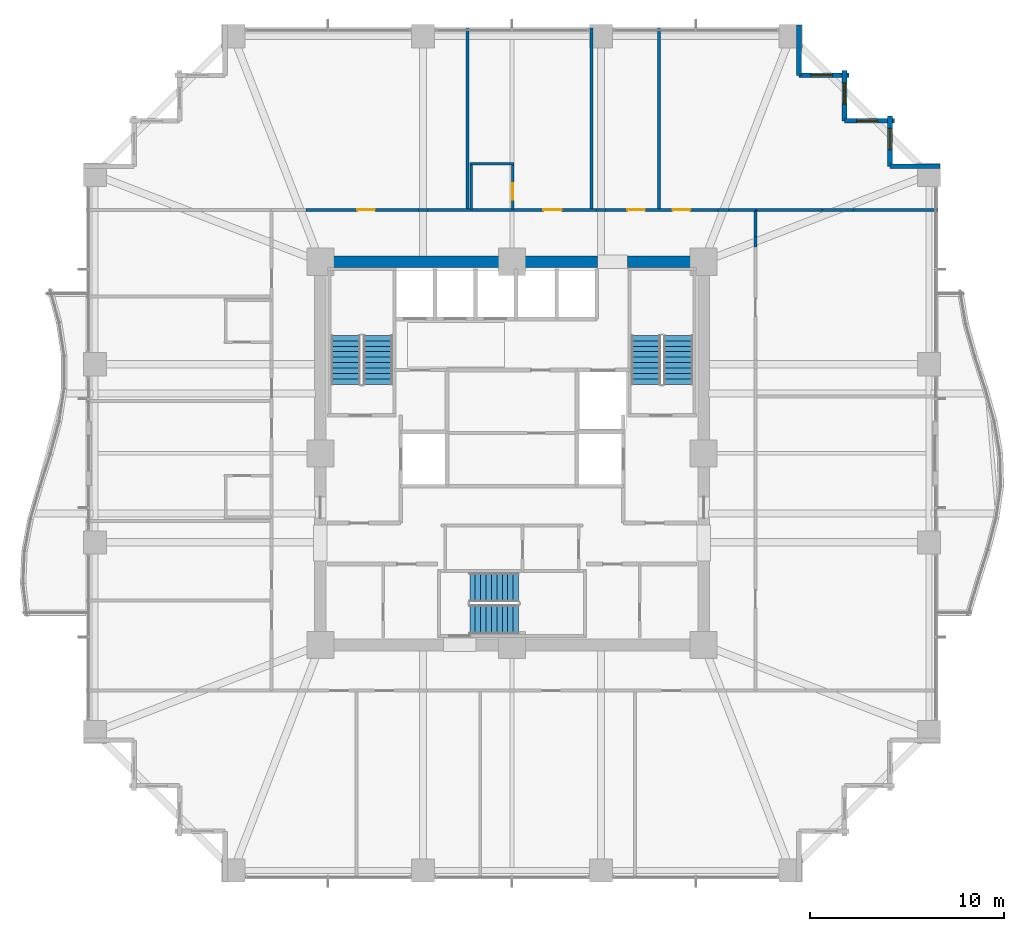
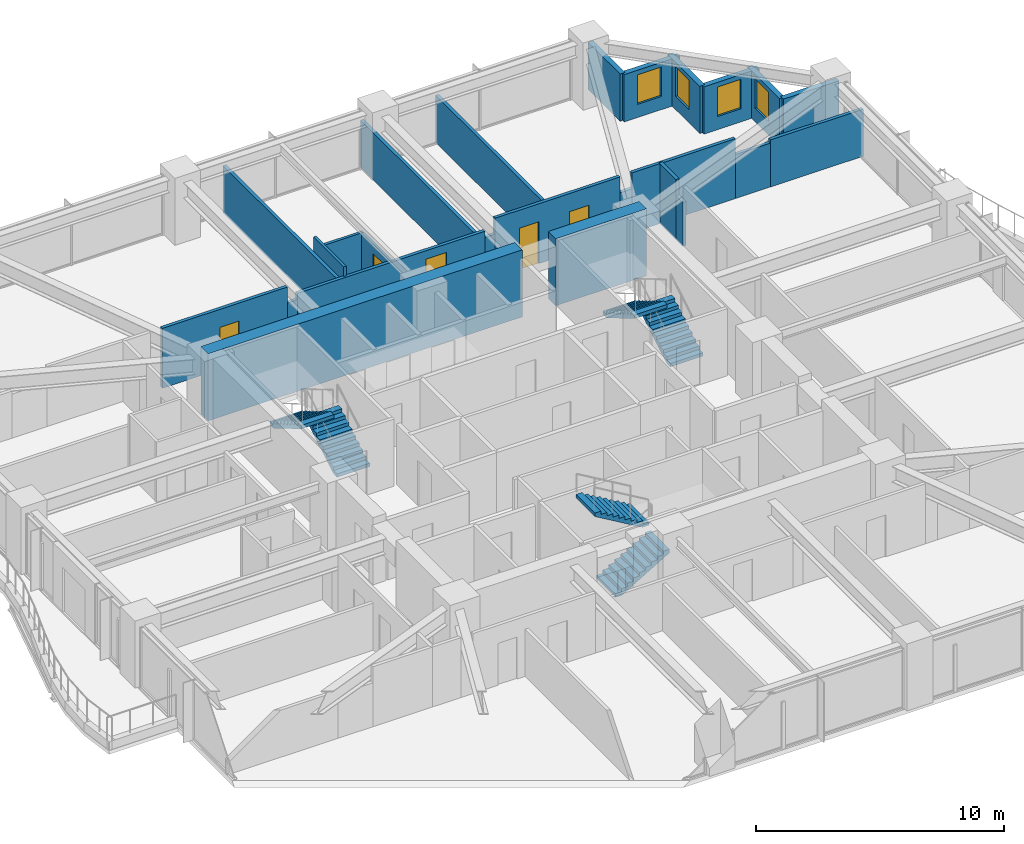
# One storey, part 36 of 38: 26 walls, 6 stair flights, 5 doors, 4 windows, 9 openings, 3 elements without a shape of their own.
"""IFC4 building model written with IfcOpenShell, lengths in metres."""

from ifc_helpers import new_model, si_unit, direction, frame, frame_2d, origin, place, context, subcontext, project, spatial, polyline, rectangle, outline, extrude, material, layer, layer_set, type_object, element, fill, aggregate, save


model = new_model("IFC4")

# Units and contexts
model_context = context("Model", 3, precision=1e-05, world=origin(), true_north=direction((0.0, 1.0)))
body_context = subcontext(model_context, "Body", "Model", "MODEL_VIEW")
ifc_project = project(units=[si_unit("LENGTHUNIT", "METRE"), si_unit("AREAUNIT", "SQUARE_METRE"), si_unit("VOLUMEUNIT", "CUBIC_METRE"), si_unit("PLANEANGLEUNIT", "RADIAN"), si_unit("MASSUNIT", "GRAM", prefix="KILO")], contexts=[model_context])

# Site, building, storey
site_placement = place(None, origin())
site = spatial("IfcSite", under=ifc_project, at=site_placement, CompositionType="ELEMENT")
building_placement = place(site_placement, origin())
building = spatial("IfcBuilding", under=site, at=building_placement, Name="Kolvaren Belvedere", CompositionType="ELEMENT")
storey_placement = place(building_placement, frame((0.0, 0.0, 60.10009765625)))
storey = spatial("IfcBuildingStorey", under=building, at=storey_placement, Name="L17", CompositionType="ELEMENT", Elevation=60.10009765625)

# Walls
ifc_material_1 = material(Name="Concrete C60/75", Category="concrete")
ifc_layer_1 = layer(ifc_material_1, 0.60009765625)
ifc_layer_set_1 = layer_set([ifc_layer_1], Name="Concrete C60/75")
wall_type_1 = type_object("IfcWallType", Name="CW-CORE-600", PredefinedType="SHEAR", material=ifc_layer_set_1)
wall_1_placement = place(storey_placement, frame((-10.199951171875, 9.89990234375, 0.0), z_axis=(0.0, 0.0, 1.0), x_axis=(1.0, 0.0, 0.0)))
element("IfcWall", 1, at=wall_1_placement, inside=storey, type_object=wall_type_1, Name="L17 North Core Shear Wall 1", PredefinedType="SHEAR", context=body_context, shape_type="SweptSolid", body=[
    extrude(rectangle(XDim=14.619873046875, YDim=0.60009765625, at=frame_2d((7.31005859375, 0.0))), origin(), (0.0, 0.0, 1.0), 3.2998046875),
])
wall_2_placement = place(storey_placement, frame((5.97998046875, 9.89990234375, 0.0), z_axis=(0.0, 0.0, 1.0), x_axis=(1.0, 0.0, 0.0)))
element("IfcWall", 2, at=wall_2_placement, inside=storey, type_object=wall_type_1, Name="L17 North Core Shear Wall 2", PredefinedType="SHEAR", context=body_context, shape_type="SweptSolid", body=[
    extrude(rectangle(XDim=4.219970703125, YDim=0.60009765625, at=frame_2d((2.10986328125, 0.0))), origin(), (0.0, 0.0, 1.0), 3.2998046875),
])

# Wall, opening, door
ifc_material_2 = material(Name="Gypsum fire-rated partition assembly", Category="gypsum")
ifc_layer_2 = layer(ifc_material_2, 0.14990234375)
ifc_layer_set_2 = layer_set([ifc_layer_2], Name="Gypsum fire-rated partition assembly")
wall_type_2 = type_object("IfcWallType", Name="WL-CORR-150", PredefinedType="PARTITIONING", material=ifc_layer_set_2)
wall_3_placement = place(storey_placement, frame((-10.654541015625, 12.580078125, 0.0), z_axis=(0.0, 0.0, 1.0), x_axis=(1.0, 0.0, 0.0)))
wall_3 = element("IfcWall", 3, at=wall_3_placement, inside=storey, type_object=wall_type_2, Name="L17 North Corridor Wall", PredefinedType="PARTITIONING", context=body_context, shape_type="SweptSolid", body=[
    extrude(rectangle(XDim=5.822021484375, YDim=0.14990234375, at=frame_2d((2.9111328125, 0.0))), origin(), (0.0, 0.0, 1.0), 2.949951171875),
])
opening_1_placement = place(wall_3_placement, frame((2.66943359375, 0.0, 0.0)))
opening_1 = element("IfcOpeningElement", 4, at=opening_1_placement, cuts=wall_3, Name="Opening D-INT90", PredefinedType="OPENING", context=body_context, shape_type="SweptSolid", body=[
    extrude(rectangle(XDim=0.89990234375, YDim=2.06005859375, at=frame_2d((0.449951171875, 1.030029296875))), frame((0.0, 0.0849609375, 0.0), z_axis=(0.0, -1.0, 0.0), x_axis=(1.0, 0.0, 0.0)), (0.0, 0.0, 1.0), 0.169921875),
])
ifc_material_3 = material(Name="Stained Pacific white oak", Category="timber")
door_type_1 = type_object("IfcDoorType", Name="DR-INT-900", OperationType="NOTDEFINED", PredefinedType="DOOR", material=ifc_material_3)
door_1_placement = place(opening_1_placement, origin())
door_1 = element("IfcDoor", 5, at=door_1_placement, inside=storey, type_object=door_type_1, Name="L17 Lounge 1712 Door", OperationType="SINGLE_SWING_RIGHT", OverallHeight=2.06005859375, OverallWidth=0.89990234375, PredefinedType="DOOR", context=body_context, shape_type="SweptSolid", body=[
    extrude(rectangle(XDim=0.89990234375, YDim=2.06005859375, at=frame_2d((0.449951171875, 1.030029296875))), frame((0.0, 0.02490234375, 0.0), z_axis=(0.0, -1.0, 0.0), x_axis=(1.0, 0.0, 0.0)), (0.0, 0.0, 1.0), 0.050048828125),
])
fill(opening_1, door_1)

# Wall
wall_4_placement = place(storey_placement, frame((-4.83251953125, 12.580078125, 0.0), z_axis=(0.0, 0.0, 1.0), x_axis=(1.0, 0.0, 0.0)))
element("IfcWall", 6, at=wall_4_placement, inside=storey, type_object=wall_type_2, Name="L17 North Corridor Wall", PredefinedType="PARTITIONING", context=body_context, shape_type="SweptSolid", body=[
    extrude(rectangle(XDim=0.465087890625, YDim=0.14990234375, at=frame_2d((0.232421875, 0.0))), origin(), (0.0, 0.0, 1.0), 2.161865234375),
])

# Wall, opening, door
wall_5_placement = place(storey_placement, frame((-4.367431640625, 12.580078125, 0.0), z_axis=(0.0, 0.0, 1.0), x_axis=(1.0, 0.0, 0.0)))
wall_5 = element("IfcWall", 7, at=wall_5_placement, inside=storey, type_object=wall_type_2, Name="L17 North Corridor Wall", PredefinedType="PARTITIONING", context=body_context, shape_type="SweptSolid", body=[
    extrude(rectangle(XDim=8.73486328125, YDim=0.14990234375, at=frame_2d((4.367431640625, 0.0))), origin(), (0.0, 0.0, 1.0), 2.474853515625),
])
opening_2_placement = place(wall_5_placement, frame((5.985107421875, 0.0, 0.0)))
opening_2 = element("IfcOpeningElement", 8, at=opening_2_placement, cuts=wall_5, Name="Opening D-FD60", PredefinedType="OPENING", context=body_context, shape_type="SweptSolid", body=[
    extrude(rectangle(XDim=0.949951171875, YDim=2.06005859375, at=frame_2d((0.47509765625, 1.030029296875))), frame((0.0, 0.0849609375, 0.0), z_axis=(0.0, -1.0, 0.0), x_axis=(1.0, 0.0, 0.0)), (0.0, 0.0, 1.0), 0.169921875),
])
ifc_material_4 = material(Name="Acoustic white-oak fire door leaf", Category="timber")
door_type_2 = type_object("IfcDoorType", Name="DR-FD60-950", OperationType="NOTDEFINED", PredefinedType="DOOR", material=ifc_material_4)
door_2_placement = place(opening_2_placement, origin())
door_2 = element("IfcDoor", 9, at=door_2_placement, inside=storey, type_object=door_type_2, Name="L17 Twin Guest Room 1713 Entry Door", OperationType="SINGLE_SWING_RIGHT", OverallHeight=2.06005859375, OverallWidth=0.949951171875, PredefinedType="DOOR", context=body_context, shape_type="SweptSolid", body=[
    extrude(rectangle(XDim=0.949951171875, YDim=2.06005859375, at=frame_2d((0.47509765625, 1.030029296875))), frame((0.0, 0.02490234375, 0.0), z_axis=(0.0, -1.0, 0.0), x_axis=(1.0, 0.0, 0.0)), (0.0, 0.0, 1.0), 0.050048828125),
])
fill(opening_2, door_2)

# Wall
wall_6_placement = place(storey_placement, frame((4.367431640625, 12.580078125, 0.0), z_axis=(0.0, 0.0, 1.0), x_axis=(1.0, 0.0, 0.0)))
element("IfcWall", 10, at=wall_6_placement, inside=storey, type_object=wall_type_2, Name="L17 North Corridor Wall", PredefinedType="PARTITIONING", context=body_context, shape_type="SweptSolid", body=[
    extrude(rectangle(XDim=0.465087890625, YDim=0.14990234375, at=frame_2d((0.232421875, 0.0))), origin(), (0.0, 0.0, 1.0), 2.161865234375),
])

# Wall, openings, doors
wall_7_placement = place(storey_placement, frame((4.83251953125, 12.580078125, 0.0), z_axis=(0.0, 0.0, 1.0), x_axis=(1.0, 0.0, 0.0)))
wall_7 = element("IfcWall", 11, at=wall_7_placement, inside=storey, type_object=wall_type_2, Name="L17 North Corridor Wall", PredefinedType="PARTITIONING", context=body_context, shape_type="SweptSolid", body=[
    extrude(rectangle(XDim=5.822021484375, YDim=0.14990234375, at=frame_2d((2.9111328125, 0.0))), origin(), (0.0, 0.0, 1.0), 2.949951171875),
])
opening_3_placement = place(wall_7_placement, frame((1.133544921875, 0.0, 0.0)))
opening_3 = element("IfcOpeningElement", 12, at=opening_3_placement, cuts=wall_7, Name="Opening D-INT90", PredefinedType="OPENING", context=body_context, shape_type="SweptSolid", body=[
    extrude(rectangle(XDim=0.89990234375, YDim=2.06005859375, at=frame_2d((0.449951171875, 1.030029296875))), frame((0.0, 0.0849609375, 0.0), z_axis=(0.0, -1.0, 0.0), x_axis=(1.0, 0.0, 0.0)), (0.0, 0.0, 1.0), 0.169921875),
])
opening_4_placement = place(wall_7_placement, frame((3.468505859375, 0.0, 0.0)))
opening_4 = element("IfcOpeningElement", 13, at=opening_4_placement, cuts=wall_7, Name="Opening D-INT90", PredefinedType="OPENING", context=body_context, shape_type="SweptSolid", body=[
    extrude(rectangle(XDim=0.89990234375, YDim=2.06005859375, at=frame_2d((0.449951171875, 1.030029296875))), frame((0.0, 0.0849609375, 0.0), z_axis=(0.0, -1.0, 0.0), x_axis=(1.0, 0.0, 0.0)), (0.0, 0.0, 1.0), 0.169921875),
])
door_3_placement = place(opening_3_placement, origin())
door_3 = element("IfcDoor", 14, at=door_3_placement, inside=storey, type_object=door_type_1, Name="L17 Lounge 1714 Door", OperationType="SINGLE_SWING_LEFT", OverallHeight=2.06005859375, OverallWidth=0.89990234375, PredefinedType="DOOR", context=body_context, shape_type="SweptSolid", body=[
    extrude(rectangle(XDim=0.89990234375, YDim=2.06005859375, at=frame_2d((0.449951171875, 1.030029296875))), frame((0.0, 0.02490234375, 0.0), z_axis=(0.0, -1.0, 0.0), x_axis=(1.0, 0.0, 0.0)), (0.0, 0.0, 1.0), 0.050048828125),
])
fill(opening_3, door_3)
door_4_placement = place(opening_4_placement, origin())
door_4 = element("IfcDoor", 15, at=door_4_placement, inside=storey, type_object=door_type_1, Name="L17 Lounge 1715 Door", OperationType="SINGLE_SWING_RIGHT", OverallHeight=2.06005859375, OverallWidth=0.89990234375, PredefinedType="DOOR", context=body_context, shape_type="SweptSolid", body=[
    extrude(rectangle(XDim=0.89990234375, YDim=2.06005859375, at=frame_2d((0.449951171875, 1.030029296875))), frame((0.0, 0.02490234375, 0.0), z_axis=(0.0, -1.0, 0.0), x_axis=(1.0, 0.0, 0.0)), (0.0, 0.0, 1.0), 0.050048828125),
])
fill(opening_4, door_4)

# Walls
wall_8_placement = place(storey_placement, frame((10.654541015625, 12.580078125, 0.0), z_axis=(0.0, 0.0, 1.0), x_axis=(1.0, 0.0, 0.0)))
element("IfcWall", 16, at=wall_8_placement, inside=storey, type_object=wall_type_2, Name="L17 North Corridor Wall", PredefinedType="PARTITIONING", context=body_context, shape_type="SweptSolid", body=[
    extrude(rectangle(XDim=0.561279296875, YDim=0.14990234375, at=frame_2d((0.28076171875, 0.0))), origin(), (0.0, 0.0, 1.0), 2.161865234375),
])
wall_9_placement = place(storey_placement, frame((11.2158203125, 12.580078125, 0.0), z_axis=(0.0, 0.0, 1.0), x_axis=(1.0, 0.0, 0.0)))
element("IfcWall", 17, at=wall_9_placement, inside=storey, type_object=wall_type_2, Name="L17 North Corridor Wall", PredefinedType="PARTITIONING", context=body_context, shape_type="SweptSolid", body=[
    extrude(rectangle(XDim=1.3642578125, YDim=0.14990234375, at=frame_2d((0.68212890625, 0.0))), origin(), (0.0, 0.0, 1.0), 2.949951171875),
])
wall_10_placement = place(storey_placement, frame((12.580078125, 10.654541015625, 0.0), z_axis=(0.0, 0.0, 1.0), x_axis=(0.0, 1.0, 0.0)))
element("IfcWall", 18, at=wall_10_placement, inside=storey, type_object=wall_type_2, Name="L17 East Corridor Wall", PredefinedType="PARTITIONING", context=body_context, shape_type="SweptSolid", body=[
    extrude(rectangle(XDim=0.561279296875, YDim=0.14990234375, at=frame_2d((0.28076171875, 0.0))), origin(), (0.0, 0.0, 1.0), 2.161865234375),
])
wall_11_placement = place(storey_placement, frame((12.580078125, 11.2158203125, 0.0), z_axis=(0.0, 0.0, 1.0), x_axis=(0.0, 1.0, 0.0)))
element("IfcWall", 19, at=wall_11_placement, inside=storey, type_object=wall_type_2, Name="L17 East Corridor Wall", PredefinedType="PARTITIONING", context=body_context, shape_type="SweptSolid", body=[
    extrude(rectangle(XDim=1.3642578125, YDim=0.14990234375, at=frame_2d((0.68212890625, 0.0))), origin(), (0.0, 0.0, 1.0), 2.949951171875),
])
ifc_material_5 = material(Name="Insulated pale-metal facade wall assembly", Category="aluminium")
ifc_layer_3 = layer(ifc_material_5, 0.239990234375)
ifc_layer_set_3 = layer_set([ifc_layer_3], Name="Insulated pale-metal facade wall assembly")
wall_type_3 = type_object("IfcWallType", Name="WL-EXT-240", PredefinedType="STANDARD", material=ifc_layer_set_3)
wall_12_placement = place(storey_placement, frame((19.530029296875, 14.830078125, 0.0), z_axis=(0.0, 0.0, 1.0), x_axis=(1.0, 0.0, 0.0)))
element("IfcWall", 20, at=wall_12_placement, inside=storey, type_object=wall_type_3, Name="L17 Serrated Corner Facade Wall 9", PredefinedType="STANDARD", context=body_context, shape_type="SweptSolid", body=[
    extrude(rectangle(XDim=2.590087890625, YDim=0.239990234375, at=frame_2d((1.294921875, 0.0))), origin(), (0.0, 0.0, 1.0), 2.328857421875),
])

# Wall, opening, window
wall_13_placement = place(storey_placement, frame((19.530029296875, 17.419921875, 0.0), z_axis=(0.0, 0.0, 1.0), x_axis=(0.0, -1.0, 0.0)))
wall_13 = element("IfcWall", 21, at=wall_13_placement, inside=storey, type_object=wall_type_3, Name="L17 Serrated Corner Facade Wall 10", PredefinedType="STANDARD", context=body_context, shape_type="SweptSolid", body=[
    extrude(rectangle(XDim=2.58984375, YDim=0.239990234375, at=frame_2d((1.294921875, 0.0))), origin(), (0.0, 0.0, 1.0), 2.328857421875),
])
opening_5_placement = place(wall_13_placement, frame((0.625, 0.0, 0.64990234375)))
opening_5 = element("IfcOpeningElement", 22, at=opening_5_placement, cuts=wall_13, Name="Opening W-1100", PredefinedType="OPENING", context=body_context, shape_type="SweptSolid", body=[
    extrude(rectangle(XDim=1.10009765625, YDim=1.449951171875, at=frame_2d((0.550048828125, 0.72509765625))), frame((0.0, 0.1298828125, 0.0), z_axis=(0.0, -1.0, 0.0), x_axis=(1.0, 0.0, 0.0)), (0.0, 0.0, 1.0), 0.260009765625),
])
ifc_material_6 = material(Name="Low-iron triple insulated glass", Category="glass")
window_type = type_object("IfcWindowType", Name="WN-CORN-1100", PartitioningType="SINGLE_PANEL", PredefinedType="WINDOW", material=ifc_material_6)
window_1_placement = place(opening_5_placement, origin())
window_1 = element("IfcWindow", 23, at=window_1_placement, inside=storey, type_object=window_type, Name="L17 Serrated Corner Vision Window 10", OverallHeight=1.449951171875, OverallWidth=1.10009765625, PartitioningType="SINGLE_PANEL", PredefinedType="WINDOW", context=body_context, shape_type="SweptSolid", body=[
    extrude(rectangle(XDim=1.10009765625, YDim=1.449951171875, at=frame_2d((0.550048828125, 0.72509765625))), frame((0.0, 0.030029296875, 0.0), z_axis=(0.0, -1.0, 0.0), x_axis=(1.0, 0.0, 0.0)), (0.0, 0.0, 1.0), 0.06005859375),
])
fill(opening_5, window_1)

wall_14_placement = place(storey_placement, frame((17.179931640625, 17.179931640625, 0.0), z_axis=(0.0, 0.0, 1.0), x_axis=(1.0, 0.0, 0.0)))
wall_14 = element("IfcWall", 24, at=wall_14_placement, inside=storey, type_object=wall_type_3, Name="L17 Serrated Corner Facade Wall 11", PredefinedType="STANDARD", context=body_context, shape_type="SweptSolid", body=[
    extrude(rectangle(XDim=2.590087890625, YDim=0.239990234375, at=frame_2d((1.294921875, 0.0))), origin(), (0.0, 0.0, 1.0), 2.328857421875),
])
opening_6_placement = place(wall_14_placement, frame((0.625, 0.0, 0.64990234375)))
opening_6 = element("IfcOpeningElement", 25, at=opening_6_placement, cuts=wall_14, Name="Opening W-1100", PredefinedType="OPENING", context=body_context, shape_type="SweptSolid", body=[
    extrude(rectangle(XDim=1.10009765625, YDim=1.449951171875, at=frame_2d((0.550048828125, 0.72509765625))), frame((0.0, 0.1298828125, 0.0), z_axis=(0.0, -1.0, 0.0), x_axis=(1.0, 0.0, 0.0)), (0.0, 0.0, 1.0), 0.260009765625),
])
window_2_placement = place(opening_6_placement, origin())
window_2 = element("IfcWindow", 26, at=window_2_placement, inside=storey, type_object=window_type, Name="L17 Serrated Corner Vision Window 11", OverallHeight=1.449951171875, OverallWidth=1.10009765625, PartitioningType="SINGLE_PANEL", PredefinedType="WINDOW", context=body_context, shape_type="SweptSolid", body=[
    extrude(rectangle(XDim=1.10009765625, YDim=1.449951171875, at=frame_2d((0.550048828125, 0.72509765625))), frame((0.0, 0.030029296875, 0.0), z_axis=(0.0, -1.0, 0.0), x_axis=(1.0, 0.0, 0.0)), (0.0, 0.0, 1.0), 0.06005859375),
])
fill(opening_6, window_2)

wall_15_placement = place(storey_placement, frame((17.179931640625, 19.77001953125, 0.0), z_axis=(0.0, 0.0, 1.0), x_axis=(0.0, -1.0, 0.0)))
wall_15 = element("IfcWall", 27, at=wall_15_placement, inside=storey, type_object=wall_type_3, Name="L17 Serrated Corner Facade Wall 12", PredefinedType="STANDARD", context=body_context, shape_type="SweptSolid", body=[
    extrude(rectangle(XDim=2.590087890625, YDim=0.239990234375, at=frame_2d((1.294921875, 0.0))), origin(), (0.0, 0.0, 1.0), 2.328857421875),
])
opening_7_placement = place(wall_15_placement, frame((0.625, 0.0, 0.64990234375)))
opening_7 = element("IfcOpeningElement", 28, at=opening_7_placement, cuts=wall_15, Name="Opening W-1100", PredefinedType="OPENING", context=body_context, shape_type="SweptSolid", body=[
    extrude(rectangle(XDim=1.10009765625, YDim=1.449951171875, at=frame_2d((0.550048828125, 0.72509765625))), frame((0.0, 0.1298828125, 0.0), z_axis=(0.0, -1.0, 0.0), x_axis=(1.0, 0.0, 0.0)), (0.0, 0.0, 1.0), 0.260009765625),
])
window_3_placement = place(opening_7_placement, origin())
window_3 = element("IfcWindow", 29, at=window_3_placement, inside=storey, type_object=window_type, Name="L17 Serrated Corner Vision Window 12", OverallHeight=1.449951171875, OverallWidth=1.10009765625, PartitioningType="SINGLE_PANEL", PredefinedType="WINDOW", context=body_context, shape_type="SweptSolid", body=[
    extrude(rectangle(XDim=1.10009765625, YDim=1.449951171875, at=frame_2d((0.550048828125, 0.72509765625))), frame((0.0, 0.030029296875, 0.0), z_axis=(0.0, -1.0, 0.0), x_axis=(1.0, 0.0, 0.0)), (0.0, 0.0, 1.0), 0.06005859375),
])
fill(opening_7, window_3)

wall_16_placement = place(storey_placement, frame((14.830078125, 19.530029296875, 0.0), z_axis=(0.0, 0.0, 1.0), x_axis=(1.0, 0.0, 0.0)))
wall_16 = element("IfcWall", 30, at=wall_16_placement, inside=storey, type_object=wall_type_3, Name="L17 Serrated Corner Facade Wall 13", PredefinedType="STANDARD", context=body_context, shape_type="SweptSolid", body=[
    extrude(rectangle(XDim=2.58984375, YDim=0.239990234375, at=frame_2d((1.294921875, 0.0))), origin(), (0.0, 0.0, 1.0), 2.328857421875),
])
opening_8_placement = place(wall_16_placement, frame((0.625, 0.0, 0.64990234375)))
opening_8 = element("IfcOpeningElement", 31, at=opening_8_placement, cuts=wall_16, Name="Opening W-1100", PredefinedType="OPENING", context=body_context, shape_type="SweptSolid", body=[
    extrude(rectangle(XDim=1.10009765625, YDim=1.449951171875, at=frame_2d((0.550048828125, 0.72509765625))), frame((0.0, 0.1298828125, 0.0), z_axis=(0.0, -1.0, 0.0), x_axis=(1.0, 0.0, 0.0)), (0.0, 0.0, 1.0), 0.260009765625),
])
window_4_placement = place(opening_8_placement, origin())
window_4 = element("IfcWindow", 32, at=window_4_placement, inside=storey, type_object=window_type, Name="L17 Serrated Corner Vision Window 13", OverallHeight=1.449951171875, OverallWidth=1.10009765625, PartitioningType="SINGLE_PANEL", PredefinedType="WINDOW", context=body_context, shape_type="SweptSolid", body=[
    extrude(rectangle(XDim=1.10009765625, YDim=1.449951171875, at=frame_2d((0.550048828125, 0.72509765625))), frame((0.0, 0.030029296875, 0.0), z_axis=(0.0, -1.0, 0.0), x_axis=(1.0, 0.0, 0.0)), (0.0, 0.0, 1.0), 0.06005859375),
])
fill(opening_8, window_4)

# Walls
wall_17_placement = place(storey_placement, frame((14.830078125, 22.1201171875, 0.0), z_axis=(0.0, 0.0, 1.0), x_axis=(0.0, -1.0, 0.0)))
element("IfcWall", 33, at=wall_17_placement, inside=storey, type_object=wall_type_3, Name="L17 Serrated Corner Facade Wall 14", PredefinedType="STANDARD", context=body_context, shape_type="SweptSolid", body=[
    extrude(rectangle(XDim=2.590087890625, YDim=0.239990234375, at=frame_2d((1.294921875, 0.0))), origin(), (0.0, 0.0, 1.0), 2.328857421875),
])
ifc_material_7 = material(Name="Gypsum acoustic partition assembly", Category="gypsum")
ifc_layer_4 = layer(ifc_material_7, 0.14990234375)
ifc_layer_set_4 = layer_set([ifc_layer_4], Name="Gypsum acoustic partition assembly")
wall_type_4 = type_object("IfcWallType", Name="WL-PART-150", PredefinedType="PARTITIONING", material=ifc_layer_set_4)
wall_18_placement = place(storey_placement, frame((12.580078125, 12.580078125, 0.0), z_axis=(0.0, 0.0, 1.0), x_axis=(1.0, 0.0, 0.0)))
element("IfcWall", 34, at=wall_18_placement, inside=storey, type_object=wall_type_4, Name="L17 Wing Divider PW-L17-QNE", PredefinedType="PARTITIONING", context=body_context, shape_type="SweptSolid", body=[
    extrude(rectangle(XDim=3.44091796875, YDim=0.14990234375, at=frame_2d((1.720458984375, 0.0))), origin(), (0.0, 0.0, 1.0), 2.949951171875),
])
wall_19_placement = place(storey_placement, frame((16.02099609375, 12.580078125, 0.0), z_axis=(0.0, 0.0, 1.0), x_axis=(1.0, 0.0, 0.0)))
element("IfcWall", 35, at=wall_19_placement, inside=storey, type_object=wall_type_4, Name="L17 Wing Divider PW-L17-QNE", PredefinedType="PARTITIONING", context=body_context, shape_type="SweptSolid", body=[
    extrude(rectangle(XDim=1.634521484375, YDim=0.14990234375, at=frame_2d((0.8173828125, 0.0))), origin(), (0.0, 0.0, 1.0), 2.161865234375),
])
wall_20_placement = place(storey_placement, frame((17.655517578125, 12.580078125, 0.0), z_axis=(0.0, 0.0, 1.0), x_axis=(1.0, 0.0, 0.0)))
element("IfcWall", 36, at=wall_20_placement, inside=storey, type_object=wall_type_4, Name="L17 Wing Divider PW-L17-QNE", PredefinedType="PARTITIONING", context=body_context, shape_type="SweptSolid", body=[
    extrude(rectangle(XDim=4.324462890625, YDim=0.14990234375, at=frame_2d((2.162109375, 0.0))), origin(), (0.0, 0.0, 1.0), 2.31884765625),
])
for number, where, z_axis, x_axis, name in (
    (37, (-2.2958984375, 12.580078125, 0.0), (0.0, 0.0, 1.0), (0.0, 1.0, 0.0), "L17 North Suite Demising Wall 1"),
    (38, (4.10400390625, 12.580078125, 0.0), (0.0, 0.0, 1.0), (0.0, 1.0, 0.0), "L17 North Suite Demising Wall 2"),
    (39, (7.60400390625, 12.580078125, 0.0), (0.0, 0.0, 1.0), (0.0, 1.0, 0.0), "L17 North Suite Demising Wall 3"),
):
    element("IfcWall", number, at=place(storey_placement, frame(where, z_axis=z_axis, x_axis=x_axis)), inside=storey, type_object=wall_type_4, Name=name, PredefinedType="PARTITIONING", context=body_context, shape_type="SweptSolid", body=[
        extrude(rectangle(XDim=9.39990234375, YDim=0.14990234375, at=frame_2d((4.699951171875, 0.0))), origin(), (0.0, 0.0, 1.0), 2.31884765625),
    ])

# Wall, opening, door
ifc_material_8 = material(Name="Moisture-resistant gypsum partition", Category="gypsum")
ifc_layer_5 = layer(ifc_material_8, 0.125)
ifc_layer_set_5 = layer_set([ifc_layer_5], Name="Moisture-resistant gypsum partition")
wall_type_5 = type_object("IfcWallType", Name="WL-WET-125", PredefinedType="PARTITIONING", material=ifc_layer_set_5)
wall_21_placement = place(storey_placement, frame((0.049072265625, 12.594970703125, 0.0), z_axis=(0.0, 0.0, 1.0), x_axis=(0.0, 1.0, 0.0)))
wall_21 = element("IfcWall", 40, at=wall_21_placement, inside=storey, type_object=wall_type_5, Name="L17 Bathroom Partition PW-L17-BTH-13-E", PredefinedType="PARTITIONING", context=body_context, shape_type="SweptSolid", body=[
    extrude(rectangle(XDim=2.43994140625, YDim=0.125, at=frame_2d((1.219970703125, 0.0))), origin(), (0.0, 0.0, 1.0), 2.474853515625),
])
opening_9_placement = place(wall_21_placement, frame((0.5, 0.0, 0.0)))
opening_9 = element("IfcOpeningElement", 41, at=opening_9_placement, cuts=wall_21, Name="Opening D-BTH85", PredefinedType="OPENING", context=body_context, shape_type="SweptSolid", body=[
    extrude(rectangle(XDim=0.85009765625, YDim=2.030029296875, at=frame_2d((0.425048828125, 1.01513671875))), frame((0.0, 0.072509765625, 0.0), z_axis=(0.0, -1.0, 0.0), x_axis=(1.0, 0.0, 0.0)), (0.0, 0.0, 1.0), 0.14501953125),
])
ifc_material_9 = material(Name="Moisture-sealed Pacific white oak", Category="timber")
door_type_3 = type_object("IfcDoorType", Name="DR-BATH-850", OperationType="NOTDEFINED", PredefinedType="DOOR", material=ifc_material_9)
door_5_placement = place(opening_9_placement, origin())
door_5 = element("IfcDoor", 42, at=door_5_placement, inside=storey, type_object=door_type_3, Name="L17 En-Suite Bathroom 1713 Door", OperationType="SINGLE_SWING_LEFT", OverallHeight=2.030029296875, OverallWidth=0.85009765625, PredefinedType="DOOR", context=body_context, shape_type="SweptSolid", body=[
    extrude(rectangle(XDim=0.85009765625, YDim=2.030029296875, at=frame_2d((0.425048828125, 1.01513671875))), frame((0.0, 0.02490234375, 0.0), z_axis=(0.0, -1.0, 0.0), x_axis=(1.0, 0.0, 0.0)), (0.0, 0.0, 1.0), 0.050048828125),
])
fill(opening_9, door_5)

# Walls
wall_22_placement = place(storey_placement, frame((-2.160888671875, 14.955078125, 0.0), z_axis=(0.0, 0.0, 1.0), x_axis=(1.0, 0.0, 0.0)))
element("IfcWall", 43, at=wall_22_placement, inside=storey, type_object=wall_type_5, Name="L17 Bathroom Partition PW-L17-BTH-13-H", PredefinedType="PARTITIONING", context=body_context, shape_type="SweptSolid", body=[
    extrude(rectangle(XDim=2.269775390625, YDim=0.125, at=frame_2d((1.134765625, 0.0))), origin(), (0.0, 0.0, 1.0), 2.474853515625),
])
wall_23_placement = place(storey_placement, frame((-2.10107421875, 12.594970703125, 0.0), z_axis=(0.0, 0.0, 1.0), x_axis=(0.0, 1.0, 0.0)))
element("IfcWall", 44, at=wall_23_placement, inside=storey, type_object=wall_type_5, Name="L17 Bathroom Partition PW-L17-BTH-13-W", PredefinedType="PARTITIONING", context=body_context, shape_type="SweptSolid", body=[
    extrude(rectangle(XDim=2.43994140625, YDim=0.125, at=frame_2d((1.219970703125, 0.0))), origin(), (0.0, 0.0, 1.0), 2.949951171875),
])

# Stair, stair flights
ifc_material_10 = material(Name="Concrete C50/60", Category="concrete")
stair_type = type_object("IfcStairType", Name="ST-CORE-1520", PredefinedType="HALF_TURN_STAIR", material=ifc_material_10)
stair_1_placement = place(storey_placement, origin())
stair_1 = element("IfcStair", 45, at=stair_1_placement, inside=storey, type_object=stair_type, Name="L17 Protected Exit Stair ST-1", PredefinedType="HALF_TURN_STAIR")
ifc_material_11 = material(Name="Concrete C50/60", Category="concrete")
stair_flight_type = type_object("IfcStairFlightType", Name="SF-STR-1520", PredefinedType="STRAIGHT", material=ifc_material_11)
stair_flight_1_placement = place(storey_placement, frame((-6.919921875, 3.570068359375, 0.0), z_axis=(0.0, 0.0, 1.0), x_axis=(0.0, 1.0, 0.0)))
stair_flight_1 = element("IfcStairFlight", 46, at=stair_flight_1_placement, type_object=stair_flight_type, Name="ST-1 flight 1", NumberOfRisers=10, NumberOfTreads=9, PredefinedType="STRAIGHT", RiserHeight=0.165, TreadLength=0.28, context=body_context, shape_type="SweptSolid", body=[
    extrude(outline(polyline([(0.0, 0.0), (0.0, 0.1650390625), (0.280029296875, 0.1650390625), (0.280029296875, 0.330078125), (0.56005859375, 0.330078125), (0.56005859375, 0.4951171875), (0.840087890625, 0.4951171875), (0.840087890625, 0.659912109375), (1.1201171875, 0.659912109375), (1.1201171875, 0.824951171875), (1.39990234375, 0.824951171875), (1.39990234375, 0.989990234375), (1.679931640625, 0.989990234375), (1.679931640625, 1.155029296875), (1.9599609375, 1.155029296875), (1.9599609375, 1.320068359375), (2.239990234375, 1.320068359375), (2.239990234375, 1.485107421875), (2.52001953125, 1.485107421875), (2.52001953125, 1.64990234375), (2.52001953125, 1.31103515625), (0.295166015625, 0.0), (0.0, 0.0)])), frame((0.0, 0.760009765625, 0.0), z_axis=(0.0, -1.0, 0.0), x_axis=(1.0, 0.0, 0.0)), (0.0, 0.0, 1.0), 1.52001953125),
])
stair_flight_2_placement = place(storey_placement, frame((-8.590087890625, 6.090087890625, 1.64990234375), z_axis=(0.0, 0.0, 1.0), x_axis=(0.0, -1.0, 0.0)))
stair_flight_2 = element("IfcStairFlight", 47, at=stair_flight_2_placement, type_object=stair_flight_type, Name="ST-1 flight 2", NumberOfRisers=10, NumberOfTreads=9, PredefinedType="STRAIGHT", RiserHeight=0.165, TreadLength=0.28, context=body_context, shape_type="SweptSolid", body=[
    extrude(outline(polyline([(0.0, 0.0), (0.0, 0.1650390625), (0.280029296875, 0.1650390625), (0.280029296875, 0.330078125), (0.56005859375, 0.330078125), (0.56005859375, 0.4951171875), (0.840087890625, 0.4951171875), (0.840087890625, 0.659912109375), (1.1201171875, 0.659912109375), (1.1201171875, 0.824951171875), (1.39990234375, 0.824951171875), (1.39990234375, 0.989990234375), (1.679931640625, 0.989990234375), (1.679931640625, 1.155029296875), (1.9599609375, 1.155029296875), (1.9599609375, 1.320068359375), (2.239990234375, 1.320068359375), (2.239990234375, 1.485107421875), (2.52001953125, 1.485107421875), (2.52001953125, 1.64990234375), (2.52001953125, 1.31103515625), (0.295166015625, 0.0), (0.0, 0.0)])), frame((0.0, 0.760009765625, 0.0), z_axis=(0.0, -1.0, 0.0), x_axis=(1.0, 0.0, 0.0)), (0.0, 0.0, 1.0), 1.52001953125),
])
aggregate(stair_1, [stair_flight_1, stair_flight_2])

stair_2_placement = place(storey_placement, origin())
stair_2 = element("IfcStair", 48, at=stair_2_placement, inside=storey, type_object=stair_type, Name="L17 Protected Exit Stair ST-2", PredefinedType="HALF_TURN_STAIR")
stair_flight_3_placement = place(storey_placement, frame((8.590087890625, 3.570068359375, 0.0), z_axis=(0.0, 0.0, 1.0), x_axis=(0.0, 1.0, 0.0)))
stair_flight_3 = element("IfcStairFlight", 49, at=stair_flight_3_placement, type_object=stair_flight_type, Name="ST-2 flight 1", NumberOfRisers=10, NumberOfTreads=9, PredefinedType="STRAIGHT", RiserHeight=0.165, TreadLength=0.28, context=body_context, shape_type="SweptSolid", body=[
    extrude(outline(polyline([(0.0, 0.0), (0.0, 0.1650390625), (0.280029296875, 0.1650390625), (0.280029296875, 0.330078125), (0.56005859375, 0.330078125), (0.56005859375, 0.4951171875), (0.840087890625, 0.4951171875), (0.840087890625, 0.659912109375), (1.1201171875, 0.659912109375), (1.1201171875, 0.824951171875), (1.39990234375, 0.824951171875), (1.39990234375, 0.989990234375), (1.679931640625, 0.989990234375), (1.679931640625, 1.155029296875), (1.9599609375, 1.155029296875), (1.9599609375, 1.320068359375), (2.239990234375, 1.320068359375), (2.239990234375, 1.485107421875), (2.52001953125, 1.485107421875), (2.52001953125, 1.64990234375), (2.52001953125, 1.31103515625), (0.295166015625, 0.0), (0.0, 0.0)])), frame((0.0, 0.760009765625, 0.0), z_axis=(0.0, -1.0, 0.0), x_axis=(1.0, 0.0, 0.0)), (0.0, 0.0, 1.0), 1.52001953125),
])
stair_flight_4_placement = place(storey_placement, frame((6.919921875, 6.090087890625, 1.64990234375), z_axis=(0.0, 0.0, 1.0), x_axis=(0.0, -1.0, 0.0)))
stair_flight_4 = element("IfcStairFlight", 50, at=stair_flight_4_placement, type_object=stair_flight_type, Name="ST-2 flight 2", NumberOfRisers=10, NumberOfTreads=9, PredefinedType="STRAIGHT", RiserHeight=0.165, TreadLength=0.28, context=body_context, shape_type="SweptSolid", body=[
    extrude(outline(polyline([(0.0, 0.0), (0.0, 0.1650390625), (0.280029296875, 0.1650390625), (0.280029296875, 0.330078125), (0.56005859375, 0.330078125), (0.56005859375, 0.4951171875), (0.840087890625, 0.4951171875), (0.840087890625, 0.659912109375), (1.1201171875, 0.659912109375), (1.1201171875, 0.824951171875), (1.39990234375, 0.824951171875), (1.39990234375, 0.989990234375), (1.679931640625, 0.989990234375), (1.679931640625, 1.155029296875), (1.9599609375, 1.155029296875), (1.9599609375, 1.320068359375), (2.239990234375, 1.320068359375), (2.239990234375, 1.485107421875), (2.52001953125, 1.485107421875), (2.52001953125, 1.64990234375), (2.52001953125, 1.31103515625), (0.295166015625, 0.0), (0.0, 0.0)])), frame((0.0, 0.760009765625, 0.0), z_axis=(0.0, -1.0, 0.0), x_axis=(1.0, 0.0, 0.0)), (0.0, 0.0, 1.0), 1.52001953125),
])
aggregate(stair_2, [stair_flight_3, stair_flight_4])

stair_3_placement = place(storey_placement, origin())
stair_3 = element("IfcStair", 51, at=stair_3_placement, inside=storey, type_object=stair_type, Name="L17 Protected Exit Stair ST-3", PredefinedType="HALF_TURN_STAIR")
stair_flight_5_placement = place(storey_placement, frame((-2.179931640625, -8.590087890625, 0.0), z_axis=(0.0, 0.0, 1.0), x_axis=(1.0, 0.0, 0.0)))
stair_flight_5 = element("IfcStairFlight", 52, at=stair_flight_5_placement, type_object=stair_flight_type, Name="ST-3 flight 1", NumberOfRisers=10, NumberOfTreads=9, PredefinedType="STRAIGHT", RiserHeight=0.165, TreadLength=0.28, context=body_context, shape_type="SweptSolid", body=[
    extrude(outline(polyline([(0.0, 0.0), (0.0, 0.1650390625), (0.280029296875, 0.1650390625), (0.280029296875, 0.330078125), (0.56005859375, 0.330078125), (0.56005859375, 0.4951171875), (0.840087890625, 0.4951171875), (0.840087890625, 0.659912109375), (1.1201171875, 0.659912109375), (1.1201171875, 0.824951171875), (1.39990234375, 0.824951171875), (1.39990234375, 0.989990234375), (1.679931640625, 0.989990234375), (1.679931640625, 1.155029296875), (1.9599609375, 1.155029296875), (1.9599609375, 1.320068359375), (2.239990234375, 1.320068359375), (2.239990234375, 1.485107421875), (2.52001953125, 1.485107421875), (2.52001953125, 1.64990234375), (2.52001953125, 1.31103515625), (0.295166015625, 0.0), (0.0, 0.0)])), frame((0.0, 0.760009765625, 0.0), z_axis=(0.0, -1.0, 0.0), x_axis=(1.0, 0.0, 0.0)), (0.0, 0.0, 1.0), 1.52001953125),
])
stair_flight_6_placement = place(storey_placement, frame((0.340087890625, -6.919921875, 1.64990234375), z_axis=(0.0, 0.0, 1.0), x_axis=(-1.0, 0.0, 0.0)))
stair_flight_6 = element("IfcStairFlight", 53, at=stair_flight_6_placement, type_object=stair_flight_type, Name="ST-3 flight 2", NumberOfRisers=10, NumberOfTreads=9, PredefinedType="STRAIGHT", RiserHeight=0.165, TreadLength=0.28, context=body_context, shape_type="SweptSolid", body=[
    extrude(outline(polyline([(0.0, 0.0), (0.0, 0.1650390625), (0.280029296875, 0.1650390625), (0.280029296875, 0.330078125), (0.56005859375, 0.330078125), (0.56005859375, 0.4951171875), (0.840087890625, 0.4951171875), (0.840087890625, 0.659912109375), (1.1201171875, 0.659912109375), (1.1201171875, 0.824951171875), (1.39990234375, 0.824951171875), (1.39990234375, 0.989990234375), (1.679931640625, 0.989990234375), (1.679931640625, 1.155029296875), (1.9599609375, 1.155029296875), (1.9599609375, 1.320068359375), (2.239990234375, 1.320068359375), (2.239990234375, 1.485107421875), (2.52001953125, 1.485107421875), (2.52001953125, 1.64990234375), (2.52001953125, 1.31103515625), (0.295166015625, 0.0), (0.0, 0.0)])), frame((0.0, 0.760009765625, 0.0), z_axis=(0.0, -1.0, 0.0), x_axis=(1.0, 0.0, 0.0)), (0.0, 0.0, 1.0), 1.52001953125),
])
aggregate(stair_3, [stair_flight_5, stair_flight_6])

save(model, "model.ifc")
